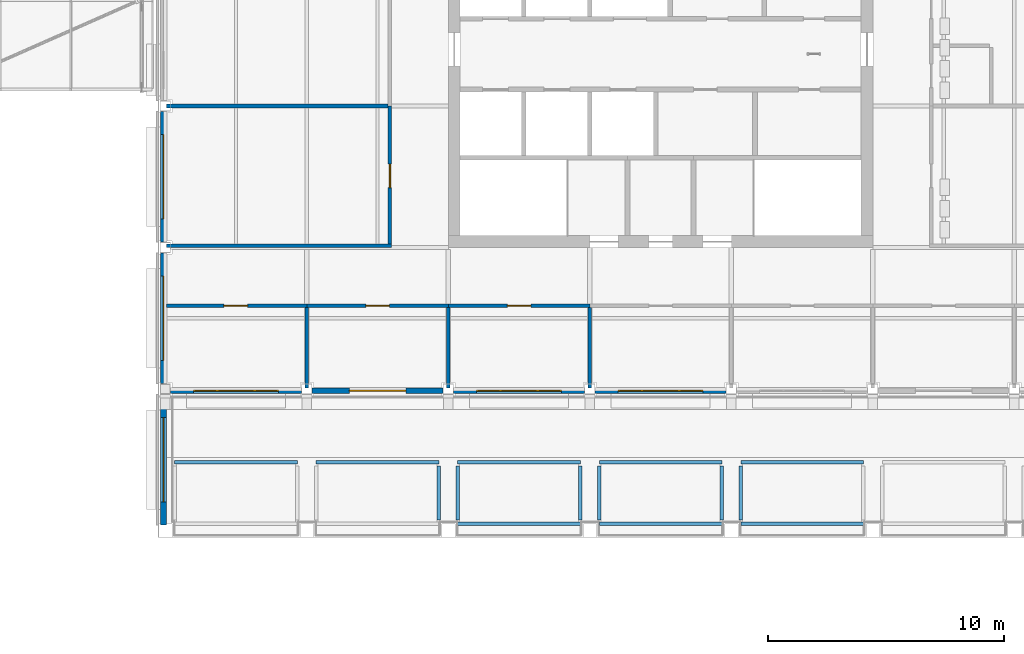
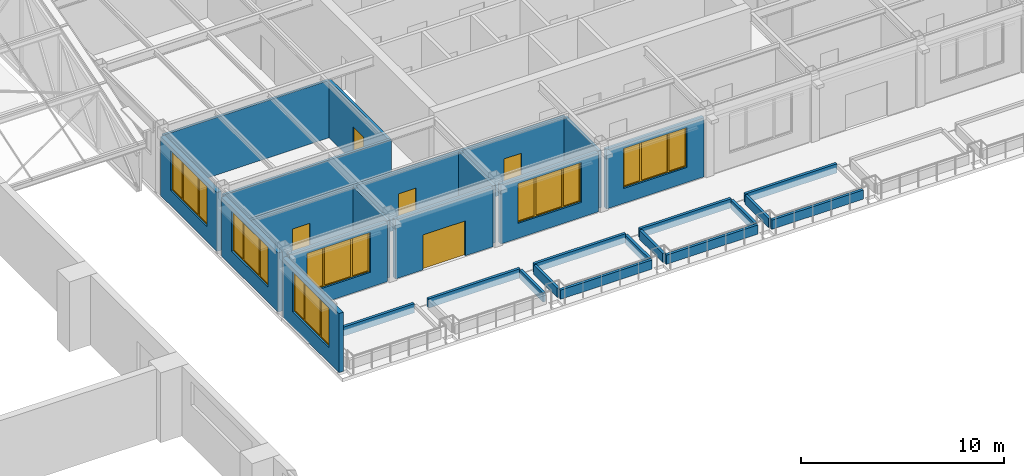
# One storey, part 58 of 82: 30 walls, 6 windows, 5 doors, 11 openings.
"""IFC4 building model written with IfcOpenShell, lengths in metres."""

from ifc_helpers import new_model, si_unit, direction, frame, frame_2d, origin, place, context, subcontext, project, spatial, polyline, rectangle, outline, extrude, material, layer, layer_set, type_object, element, fill, save


model = new_model("IFC4")

# Units and contexts
model_context = context("Model", 3, precision=1e-05, world=origin(), true_north=direction((0.0, 1.0)))
body_context = subcontext(model_context, "Body", "Model", "MODEL_VIEW")
ifc_project = project(units=[si_unit("LENGTHUNIT", "METRE"), si_unit("AREAUNIT", "SQUARE_METRE"), si_unit("VOLUMEUNIT", "CUBIC_METRE"), si_unit("PLANEANGLEUNIT", "RADIAN"), si_unit("MASSUNIT", "GRAM", prefix="KILO")], contexts=[model_context])

# Site, building, storey
site_placement = place(None, origin())
site = spatial("IfcSite", under=ifc_project, at=site_placement, CompositionType="ELEMENT")
building_placement = place(site_placement, origin())
building = spatial("IfcBuilding", under=site, at=building_placement, Name="Aravalli Gate Trade Fair Centre", CompositionType="ELEMENT")
storey_placement = place(building_placement, frame((0.0, 0.0, 19.199951171875)))
storey = spatial("IfcBuildingStorey", under=building, at=storey_placement, Name="L04", CompositionType="ELEMENT", Elevation=19.199951171875)

# Wall, opening, door
ifc_material_1 = material(Name="Blockwork with fire-rated lining", Category="masonry")
ifc_layer_1 = layer(ifc_material_1, 0.14990234375)
ifc_layer_set_1 = layer_set([ifc_layer_1], Name="Blockwork with fire-rated lining")
wall_type_1 = type_object("IfcWallType", Name="Wing partition 150 (EI 60, corridor wall)", PredefinedType="PARTITIONING", material=ifc_layer_set_1)
wall_1_placement = place(storey_placement, frame((160.050048828125, 100.52490234375, 0.0), z_axis=(0.0, 0.0, 1.0), x_axis=(1.0, 0.0, 0.0)))
wall_1 = element("IfcWall", 1, at=wall_1_placement, inside=storey, type_object=wall_type_1, Name="Partition SW1 L04", PredefinedType="PARTITIONING", context=body_context, shape_type="SweptSolid", body=[
    extrude(rectangle(XDim=5.949951171875, YDim=0.14990234375, at=frame_2d((2.97509765625, 0.0))), origin(), (0.0, 0.0, 1.0), 3.449951171875),
])
opening_1_placement = place(wall_1_placement, frame((2.4375, 0.0, 0.0)))
opening_1 = element("IfcOpeningElement", 2, at=opening_1_placement, cuts=wall_1, Name="Opening T-L04-141", PredefinedType="OPENING", context=body_context, shape_type="SweptSolid", body=[
    extrude(rectangle(XDim=1.0, YDim=2.10009765625, at=frame_2d((0.5, 1.050048828125))), frame((0.0, 0.0849609375, 0.0), z_axis=(0.0, -1.0, 0.0), x_axis=(1.0, 0.0, 0.0)), (0.0, 0.0, 1.0), 0.169921875),
])
ifc_material_2 = material(Name="Steel, fire rated", Category="steel")
door_type_1 = type_object("IfcDoorType", Name="Wing fire door FD60 1000 x 2100", OperationType="SINGLE_SWING_LEFT", PredefinedType="DOOR", material=ifc_material_2)
door_1_placement = place(opening_1_placement, frame((1.0, 0.0, 0.0), z_axis=(0.0, 0.0, 1.0), x_axis=(-1.0, 0.0, 0.0)))
door_1 = element("IfcDoor", 3, at=door_1_placement, inside=storey, type_object=door_type_1, Name="Door T-L04-141", OperationType="SINGLE_SWING_RIGHT", OverallHeight=2.10009765625, OverallWidth=1.0, PredefinedType="DOOR", context=body_context, shape_type="SweptSolid", body=[
    extrude(rectangle(XDim=1.0, YDim=2.10009765625, at=frame_2d((0.5, 1.050048828125))), frame((0.0, 0.02490234375, 0.0), z_axis=(0.0, -1.0, 0.0), x_axis=(1.0, 0.0, 0.0)), (0.0, 0.0, 1.0), 0.050048828125),
])
fill(opening_1, door_1)

# Wall
wall_2_placement = place(storey_placement, frame((166.0, 97.050048828125, 0.0), z_axis=(0.0, 0.0, 1.0), x_axis=(0.0, 1.0, 0.0)))
element("IfcWall", 4, at=wall_2_placement, inside=storey, type_object=wall_type_1, Name="Partition SP1 L04", PredefinedType="PARTITIONING", context=body_context, shape_type="SweptSolid", body=[
    extrude(rectangle(XDim=3.39990234375, YDim=0.14990234375, at=frame_2d((1.699951171875, 0.0))), origin(), (0.0, 0.0, 1.0), 3.449951171875),
])

# Wall, opening, door
wall_3_placement = place(storey_placement, frame((166.0, 100.52490234375, 0.0), z_axis=(0.0, 0.0, 1.0), x_axis=(1.0, 0.0, 0.0)))
wall_3 = element("IfcWall", 5, at=wall_3_placement, inside=storey, type_object=wall_type_1, Name="Partition SW2 L04", PredefinedType="PARTITIONING", context=body_context, shape_type="SweptSolid", body=[
    extrude(rectangle(XDim=6.0, YDim=0.14990234375, at=frame_2d((3.0, 0.0))), origin(), (0.0, 0.0, 1.0), 3.449951171875),
])
opening_2_placement = place(wall_3_placement, frame((2.5, 0.0, 0.0)))
opening_2 = element("IfcOpeningElement", 6, at=opening_2_placement, cuts=wall_3, Name="Opening T-L04-142", PredefinedType="OPENING", context=body_context, shape_type="SweptSolid", body=[
    extrude(rectangle(XDim=1.0, YDim=2.10009765625, at=frame_2d((0.5, 1.050048828125))), frame((0.0, 0.0849609375, 0.0), z_axis=(0.0, -1.0, 0.0), x_axis=(1.0, 0.0, 0.0)), (0.0, 0.0, 1.0), 0.169921875),
])
door_2_placement = place(opening_2_placement, frame((1.0, 0.0, 0.0), z_axis=(0.0, 0.0, 1.0), x_axis=(-1.0, 0.0, 0.0)))
door_2 = element("IfcDoor", 7, at=door_2_placement, inside=storey, type_object=door_type_1, Name="Door T-L04-142", OperationType="SINGLE_SWING_LEFT", OverallHeight=2.10009765625, OverallWidth=1.0, PredefinedType="DOOR", context=body_context, shape_type="SweptSolid", body=[
    extrude(rectangle(XDim=1.0, YDim=2.10009765625, at=frame_2d((0.5, 1.050048828125))), frame((0.0, 0.02490234375, 0.0), z_axis=(0.0, -1.0, 0.0), x_axis=(1.0, 0.0, 0.0)), (0.0, 0.0, 1.0), 0.050048828125),
])
fill(opening_2, door_2)

# Wall
wall_4_placement = place(storey_placement, frame((172.0, 97.050048828125, 0.0), z_axis=(0.0, 0.0, 1.0), x_axis=(0.0, 1.0, 0.0)))
element("IfcWall", 8, at=wall_4_placement, inside=storey, type_object=wall_type_1, Name="Partition SP2 L04", PredefinedType="PARTITIONING", context=body_context, shape_type="SweptSolid", body=[
    extrude(rectangle(XDim=3.39990234375, YDim=0.14990234375, at=frame_2d((1.699951171875, 0.0))), origin(), (0.0, 0.0, 1.0), 3.449951171875),
])

# Wall, opening, door
wall_5_placement = place(storey_placement, frame((172.0, 100.52490234375, 0.0), z_axis=(0.0, 0.0, 1.0), x_axis=(1.0, 0.0, 0.0)))
wall_5 = element("IfcWall", 9, at=wall_5_placement, inside=storey, type_object=wall_type_1, Name="Partition SW3 L04", PredefinedType="PARTITIONING", context=body_context, shape_type="SweptSolid", body=[
    extrude(rectangle(XDim=6.0, YDim=0.14990234375, at=frame_2d((3.0, 0.0))), origin(), (0.0, 0.0, 1.0), 3.449951171875),
])
opening_3_placement = place(wall_5_placement, frame((2.5, 0.0, 0.0)))
opening_3 = element("IfcOpeningElement", 10, at=opening_3_placement, cuts=wall_5, Name="Opening T-L04-143", PredefinedType="OPENING", context=body_context, shape_type="SweptSolid", body=[
    extrude(rectangle(XDim=1.0, YDim=2.10009765625, at=frame_2d((0.5, 1.050048828125))), frame((0.0, 0.0849609375, 0.0), z_axis=(0.0, -1.0, 0.0), x_axis=(1.0, 0.0, 0.0)), (0.0, 0.0, 1.0), 0.169921875),
])
door_3_placement = place(opening_3_placement, frame((1.0, 0.0, 0.0), z_axis=(0.0, 0.0, 1.0), x_axis=(-1.0, 0.0, 0.0)))
door_3 = element("IfcDoor", 11, at=door_3_placement, inside=storey, type_object=door_type_1, Name="Door T-L04-143", OperationType="SINGLE_SWING_RIGHT", OverallHeight=2.10009765625, OverallWidth=1.0, PredefinedType="DOOR", context=body_context, shape_type="SweptSolid", body=[
    extrude(rectangle(XDim=1.0, YDim=2.10009765625, at=frame_2d((0.5, 1.050048828125))), frame((0.0, 0.02490234375, 0.0), z_axis=(0.0, -1.0, 0.0), x_axis=(1.0, 0.0, 0.0)), (0.0, 0.0, 1.0), 0.050048828125),
])
fill(opening_3, door_3)

# Wall
wall_6_placement = place(storey_placement, frame((178.0, 97.050048828125, 0.0), z_axis=(0.0, 0.0, 1.0), x_axis=(0.0, 1.0, 0.0)))
element("IfcWall", 12, at=wall_6_placement, inside=storey, type_object=wall_type_1, Name="Partition SP3 L04", PredefinedType="PARTITIONING", context=body_context, shape_type="SweptSolid", body=[
    extrude(rectangle(XDim=3.39990234375, YDim=0.14990234375, at=frame_2d((1.699951171875, 0.0))), origin(), (0.0, 0.0, 1.0), 3.449951171875),
])

# Wall, opening, door
wall_7_placement = place(storey_placement, frame((169.52490234375, 103.14990234375, 0.0), z_axis=(0.0, 0.0, 1.0), x_axis=(0.0, 1.0, 0.0)))
wall_7 = element("IfcWall", 13, at=wall_7_placement, inside=storey, type_object=wall_type_1, Name="Partition WW1 L04", PredefinedType="PARTITIONING", context=body_context, shape_type="SweptSolid", body=[
    extrude(rectangle(XDim=5.85009765625, YDim=0.14990234375, at=frame_2d((2.925048828125, 0.0))), origin(), (0.0, 0.0, 1.0), 3.449951171875),
])
opening_4_placement = place(wall_7_placement, frame((2.387451171875, 0.0, 0.0)))
opening_4 = element("IfcOpeningElement", 14, at=opening_4_placement, cuts=wall_7, Name="Opening T-L04-155", PredefinedType="OPENING", context=body_context, shape_type="SweptSolid", body=[
    extrude(rectangle(XDim=1.0, YDim=2.10009765625, at=frame_2d((0.5, 1.050048828125))), frame((0.0, 0.0849609375, 0.0), z_axis=(0.0, -1.0, 0.0), x_axis=(1.0, 0.0, 0.0)), (0.0, 0.0, 1.0), 0.169921875),
])
door_4_placement = place(opening_4_placement, origin())
door_4 = element("IfcDoor", 15, at=door_4_placement, inside=storey, type_object=door_type_1, Name="Door T-L04-155", OperationType="SINGLE_SWING_LEFT", OverallHeight=2.10009765625, OverallWidth=1.0, PredefinedType="DOOR", context=body_context, shape_type="SweptSolid", body=[
    extrude(rectangle(XDim=1.0, YDim=2.10009765625, at=frame_2d((0.5, 1.050048828125))), frame((0.0, 0.02490234375, 0.0), z_axis=(0.0, -1.0, 0.0), x_axis=(1.0, 0.0, 0.0)), (0.0, 0.0, 1.0), 0.050048828125),
])
fill(opening_4, door_4)

# Walls
wall_8_placement = place(storey_placement, frame((160.050048828125, 109.0, 0.0), z_axis=(0.0, 0.0, 1.0), x_axis=(1.0, 0.0, 0.0)))
element("IfcWall", 16, at=wall_8_placement, inside=storey, type_object=wall_type_1, Name="Partition WP1 L04", PredefinedType="PARTITIONING", context=body_context, shape_type="SweptSolid", body=[
    extrude(rectangle(XDim=9.39990234375, YDim=0.14990234375, at=frame_2d((4.699951171875, 0.0))), origin(), (0.0, 0.0, 1.0), 3.449951171875),
])
wall_9_placement = place(storey_placement, frame((160.050048828125, 103.074951171875, 0.0), z_axis=(0.0, 0.0, 1.0), x_axis=(1.0, 0.0, 0.0)))
element("IfcWall", 17, at=wall_9_placement, inside=storey, type_object=wall_type_1, Name="Partition CL-SW L04", PredefinedType="PARTITIONING", context=body_context, shape_type="SweptSolid", body=[
    extrude(rectangle(XDim=9.550048828125, YDim=0.14990234375, at=frame_2d((4.77490234375, 0.0))), origin(), (0.0, 0.0, 1.0), 3.449951171875),
])
ifc_material_3 = material(Name="Concrete M30", Category="concrete")
ifc_layer_2 = layer(ifc_material_3, 0.14990234375)
ifc_layer_set_2 = layer_set([ifc_layer_2], Name="Concrete M30")
wall_type_2 = type_object("IfcWallType", Name="Wing planter wall 150", PredefinedType="SOLIDWALL", material=ifc_layer_set_2)
for number, where, z_axis, x_axis, name in (
    (18, (160.39990234375, 93.89501953125, 0.0), (0.0, 0.0, 1.0), (1.0, 0.0, 0.0), "Planter wall L04 1N"),
    (19, (166.39990234375, 93.89501953125, 0.0), (0.0, 0.0, 1.0), (1.0, 0.0, 0.0), "Planter wall L04 2N"),
):
    element("IfcWall", number, at=place(storey_placement, frame(where, z_axis=z_axis, x_axis=x_axis)), inside=storey, type_object=wall_type_2, Name=name, PredefinedType="SOLIDWALL", context=body_context, shape_type="SweptSolid", body=[
        extrude(rectangle(XDim=5.2001953125, YDim=0.14990234375, at=frame_2d((2.60009765625, 0.0))), origin(), (0.0, 0.0, 1.0), 0.550048828125),
    ])
wall_10_placement = place(storey_placement, frame((171.60009765625, 91.445068359375, 0.0), z_axis=(0.0, 0.0, 1.0), x_axis=(0.0, 1.0, 0.0)))
element("IfcWall", 20, at=wall_10_placement, inside=storey, type_object=wall_type_2, Name="Planter wall L04 2E", PredefinedType="SOLIDWALL", context=body_context, shape_type="SweptSolid", body=[
    extrude(rectangle(XDim=2.300048828125, YDim=0.14990234375, at=frame_2d((1.14990234375, 0.0))), origin(), (0.0, 0.0, 1.0), 0.550048828125),
])
for number, where, z_axis, x_axis, name in (
    (21, (172.39990234375, 91.294921875, 0.0), (0.0, 0.0, 1.0), (1.0, 0.0, 0.0), "Planter wall L04 3S"),
    (22, (172.39990234375, 93.89501953125, 0.0), (0.0, 0.0, 1.0), (1.0, 0.0, 0.0), "Planter wall L04 3N"),
):
    element("IfcWall", number, at=place(storey_placement, frame(where, z_axis=z_axis, x_axis=x_axis)), inside=storey, type_object=wall_type_2, Name=name, PredefinedType="SOLIDWALL", context=body_context, shape_type="SweptSolid", body=[
        extrude(rectangle(XDim=5.2001953125, YDim=0.14990234375, at=frame_2d((2.60009765625, 0.0))), origin(), (0.0, 0.0, 1.0), 0.550048828125),
    ])
for number, where, z_axis, x_axis, name in (
    (23, (172.39990234375, 91.445068359375, 0.0), (0.0, 0.0, 1.0), (0.0, 1.0, 0.0), "Planter wall L04 3W"),
    (24, (177.60009765625, 91.445068359375, 0.0), (0.0, 0.0, 1.0), (0.0, 1.0, 0.0), "Planter wall L04 3E"),
):
    element("IfcWall", number, at=place(storey_placement, frame(where, z_axis=z_axis, x_axis=x_axis)), inside=storey, type_object=wall_type_2, Name=name, PredefinedType="SOLIDWALL", context=body_context, shape_type="SweptSolid", body=[
        extrude(rectangle(XDim=2.300048828125, YDim=0.14990234375, at=frame_2d((1.14990234375, 0.0))), origin(), (0.0, 0.0, 1.0), 0.550048828125),
    ])
for number, where, z_axis, x_axis, name in (
    (25, (178.39990234375, 91.294921875, 0.0), (0.0, 0.0, 1.0), (1.0, 0.0, 0.0), "Planter wall L04 4S"),
    (26, (178.39990234375, 93.89501953125, 0.0), (0.0, 0.0, 1.0), (1.0, 0.0, 0.0), "Planter wall L04 4N"),
):
    element("IfcWall", number, at=place(storey_placement, frame(where, z_axis=z_axis, x_axis=x_axis)), inside=storey, type_object=wall_type_2, Name=name, PredefinedType="SOLIDWALL", context=body_context, shape_type="SweptSolid", body=[
        extrude(rectangle(XDim=5.2001953125, YDim=0.14990234375, at=frame_2d((2.60009765625, 0.0))), origin(), (0.0, 0.0, 1.0), 0.550048828125),
    ])
for number, where, z_axis, x_axis, name in (
    (27, (178.39990234375, 91.445068359375, 0.0), (0.0, 0.0, 1.0), (0.0, 1.0, 0.0), "Planter wall L04 4W"),
    (28, (183.60009765625, 91.445068359375, 0.0), (0.0, 0.0, 1.0), (0.0, 1.0, 0.0), "Planter wall L04 4E"),
):
    element("IfcWall", number, at=place(storey_placement, frame(where, z_axis=z_axis, x_axis=x_axis)), inside=storey, type_object=wall_type_2, Name=name, PredefinedType="SOLIDWALL", context=body_context, shape_type="SweptSolid", body=[
        extrude(rectangle(XDim=2.300048828125, YDim=0.14990234375, at=frame_2d((1.14990234375, 0.0))), origin(), (0.0, 0.0, 1.0), 0.550048828125),
    ])
for number, where, z_axis, x_axis, name in (
    (29, (184.39990234375, 91.294921875, 0.0), (0.0, 0.0, 1.0), (1.0, 0.0, 0.0), "Planter wall L04 5S"),
    (30, (184.39990234375, 93.89501953125, 0.0), (0.0, 0.0, 1.0), (1.0, 0.0, 0.0), "Planter wall L04 5N"),
):
    element("IfcWall", number, at=place(storey_placement, frame(where, z_axis=z_axis, x_axis=x_axis)), inside=storey, type_object=wall_type_2, Name=name, PredefinedType="SOLIDWALL", context=body_context, shape_type="SweptSolid", body=[
        extrude(rectangle(XDim=5.2001953125, YDim=0.14990234375, at=frame_2d((2.60009765625, 0.0))), origin(), (0.0, 0.0, 1.0), 0.550048828125),
    ])
wall_11_placement = place(storey_placement, frame((184.39990234375, 91.445068359375, 0.0), z_axis=(0.0, 0.0, 1.0), x_axis=(0.0, 1.0, 0.0)))
element("IfcWall", 31, at=wall_11_placement, inside=storey, type_object=wall_type_2, Name="Planter wall L04 5W", PredefinedType="SOLIDWALL", context=body_context, shape_type="SweptSolid", body=[
    extrude(rectangle(XDim=2.300048828125, YDim=0.14990234375, at=frame_2d((1.14990234375, 0.0))), origin(), (0.0, 0.0, 1.0), 0.550048828125),
])

# Wall, opening, window
ifc_material_4 = material(Name="Concrete block masonry", Category="masonry")
ifc_layer_3 = layer(ifc_material_4, 0.2099609375, Name="Block masonry")
ifc_material_5 = material(Name="Terracotta cladding", Category="masonry")
ifc_layer_4 = layer(ifc_material_5, 0.0400390625, Name="Terracotta cladding")
ifc_layer_set_3 = layer_set([ifc_layer_3, ifc_layer_4], Name="Wing terracotta clad infill wall 250")
wall_type_3 = type_object("IfcWallType", Name="Wing terracotta clad infill wall 250", PredefinedType="SOLIDWALL", material=ifc_layer_set_3)
wall_12_placement = place(storey_placement, frame((160.22509765625, 96.925048828125, 0.0), z_axis=(0.0, 0.0, 1.0), x_axis=(1.0, 0.0, 0.0)))
wall_12 = element("IfcWall", 32, at=wall_12_placement, inside=storey, type_object=wall_type_3, Name="Facade wall S0 L04", PredefinedType="SOLIDWALL", context=body_context, shape_type="SweptSolid", body=[
    extrude(rectangle(XDim=5.5498046875, YDim=0.25, at=frame_2d((2.77490234375, 0.0))), origin(), (0.0, 0.0, 1.0), 3.550048828125),
])
opening_5_placement = place(wall_12_placement, frame((0.97509765625, 0.0, 0.89990234375)))
opening_5 = element("IfcOpeningElement", 33, at=opening_5_placement, cuts=wall_12, Name="Opening TWN1", PredefinedType="OPENING", context=body_context, shape_type="SweptSolid", body=[
    extrude(rectangle(XDim=3.60009765625, YDim=2.39990234375, at=frame_2d((1.800048828125, 1.199951171875))), frame((0.0, 0.135009765625, 0.0), z_axis=(0.0, -1.0, 0.0), x_axis=(1.0, 0.0, 0.0)), (0.0, 0.0, 1.0), 0.27001953125),
])
ifc_material_6 = material(Name="Aluminium and glass", Category="aluminium")
window_type = type_object("IfcWindowType", Name="Wing chicago window 3600 x 2400", PartitioningType="TRIPLE_PANEL_VERTICAL", PredefinedType="WINDOW", material=ifc_material_6)
window_1_placement = place(opening_5_placement, origin())
window_1 = element("IfcWindow", 34, at=window_1_placement, inside=storey, type_object=window_type, Name="Window S0 L04", OverallHeight=2.39990234375, OverallWidth=3.60009765625, PartitioningType="TRIPLE_PANEL_VERTICAL", PredefinedType="WINDOW", context=body_context, shape_type="SweptSolid", body=[
    extrude(outline(polyline([(0.0, 0.0), (3.60009765625, 0.0), (3.60009765625, 2.39990234375), (0.0, 2.39990234375), (0.0, 0.0)]), holes=[polyline([(0.06005859375, 0.06005859375), (0.9599609375, 0.06005859375), (0.9599609375, 2.33984375), (0.06005859375, 2.33984375), (0.06005859375, 0.06005859375)]), polyline([(1.06005859375, 0.06005859375), (2.539794921875, 0.06005859375), (2.539794921875, 2.33984375), (1.06005859375, 2.33984375), (1.06005859375, 0.06005859375)]), polyline([(2.639892578125, 0.06005859375), (3.539794921875, 0.06005859375), (3.539794921875, 2.33984375), (2.639892578125, 2.33984375), (2.639892578125, 0.06005859375)])]), frame((0.0, 0.030029296875, 0.0), z_axis=(0.0, -1.0, 0.0), x_axis=(1.0, 0.0, 0.0)), (0.0, 0.0, 1.0), 0.06005859375),
    extrude(rectangle(XDim=0.923828125, YDim=2.3037109375, at=frame_2d((0.510009765625, 1.199951171875))), frame((0.0, 0.010009765625, 0.0), z_axis=(0.0, -1.0, 0.0), x_axis=(1.0, 0.0, 0.0)), (0.0, 0.0, 1.0), 0.02001953125),
    extrude(rectangle(XDim=1.503662109375, YDim=2.3037109375, at=frame_2d((1.7998046875, 1.199951171875))), frame((0.0, 0.010009765625, 0.0), z_axis=(0.0, -1.0, 0.0), x_axis=(1.0, 0.0, 0.0)), (0.0, 0.0, 1.0), 0.02001953125),
    extrude(rectangle(XDim=0.923828125, YDim=2.3037109375, at=frame_2d((3.08984375, 1.199951171875))), frame((0.0, 0.010009765625, 0.0), z_axis=(0.0, -1.0, 0.0), x_axis=(1.0, 0.0, 0.0)), (0.0, 0.0, 1.0), 0.02001953125),
])
fill(opening_5, window_1)

wall_13_placement = place(storey_placement, frame((172.22509765625, 96.925048828125, 0.0), z_axis=(0.0, 0.0, 1.0), x_axis=(1.0, 0.0, 0.0)))
wall_13 = element("IfcWall", 35, at=wall_13_placement, inside=storey, type_object=wall_type_3, Name="Facade wall S2 L04", PredefinedType="SOLIDWALL", context=body_context, shape_type="SweptSolid", body=[
    extrude(rectangle(XDim=5.5498046875, YDim=0.25, at=frame_2d((2.77490234375, 0.0))), origin(), (0.0, 0.0, 1.0), 3.550048828125),
])
opening_6_placement = place(wall_13_placement, frame((0.97509765625, 0.0, 0.89990234375)))
opening_6 = element("IfcOpeningElement", 36, at=opening_6_placement, cuts=wall_13, Name="Opening TWN1", PredefinedType="OPENING", context=body_context, shape_type="SweptSolid", body=[
    extrude(rectangle(XDim=3.60009765625, YDim=2.39990234375, at=frame_2d((1.800048828125, 1.199951171875))), frame((0.0, 0.135009765625, 0.0), z_axis=(0.0, -1.0, 0.0), x_axis=(1.0, 0.0, 0.0)), (0.0, 0.0, 1.0), 0.27001953125),
])
window_2_placement = place(opening_6_placement, origin())
window_2 = element("IfcWindow", 37, at=window_2_placement, inside=storey, type_object=window_type, Name="Window S2 L04", OverallHeight=2.39990234375, OverallWidth=3.60009765625, PartitioningType="TRIPLE_PANEL_VERTICAL", PredefinedType="WINDOW", context=body_context, shape_type="SweptSolid", body=[
    extrude(outline(polyline([(0.0, 0.0), (3.60009765625, 0.0), (3.60009765625, 2.39990234375), (0.0, 2.39990234375), (0.0, 0.0)]), holes=[polyline([(0.06005859375, 0.06005859375), (0.9599609375, 0.06005859375), (0.9599609375, 2.33984375), (0.06005859375, 2.33984375), (0.06005859375, 0.06005859375)]), polyline([(1.06005859375, 0.06005859375), (2.539794921875, 0.06005859375), (2.539794921875, 2.33984375), (1.06005859375, 2.33984375), (1.06005859375, 0.06005859375)]), polyline([(2.639892578125, 0.06005859375), (3.539794921875, 0.06005859375), (3.539794921875, 2.33984375), (2.639892578125, 2.33984375), (2.639892578125, 0.06005859375)])]), frame((0.0, 0.030029296875, 0.0), z_axis=(0.0, -1.0, 0.0), x_axis=(1.0, 0.0, 0.0)), (0.0, 0.0, 1.0), 0.06005859375),
    extrude(rectangle(XDim=0.923828125, YDim=2.3037109375, at=frame_2d((0.510009765625, 1.199951171875))), frame((0.0, 0.010009765625, 0.0), z_axis=(0.0, -1.0, 0.0), x_axis=(1.0, 0.0, 0.0)), (0.0, 0.0, 1.0), 0.02001953125),
    extrude(rectangle(XDim=1.503662109375, YDim=2.3037109375, at=frame_2d((1.7998046875, 1.199951171875))), frame((0.0, 0.010009765625, 0.0), z_axis=(0.0, -1.0, 0.0), x_axis=(1.0, 0.0, 0.0)), (0.0, 0.0, 1.0), 0.02001953125),
    extrude(rectangle(XDim=0.923828125, YDim=2.3037109375, at=frame_2d((3.08984375, 1.199951171875))), frame((0.0, 0.010009765625, 0.0), z_axis=(0.0, -1.0, 0.0), x_axis=(1.0, 0.0, 0.0)), (0.0, 0.0, 1.0), 0.02001953125),
])
fill(opening_6, window_2)

wall_14_placement = place(storey_placement, frame((178.22509765625, 96.925048828125, 0.0), z_axis=(0.0, 0.0, 1.0), x_axis=(1.0, 0.0, 0.0)))
wall_14 = element("IfcWall", 38, at=wall_14_placement, inside=storey, type_object=wall_type_3, Name="Facade wall S3 L04", PredefinedType="SOLIDWALL", context=body_context, shape_type="SweptSolid", body=[
    extrude(rectangle(XDim=5.5498046875, YDim=0.25, at=frame_2d((2.77490234375, 0.0))), origin(), (0.0, 0.0, 1.0), 3.550048828125),
])
opening_7_placement = place(wall_14_placement, frame((0.97509765625, 0.0, 0.89990234375)))
opening_7 = element("IfcOpeningElement", 39, at=opening_7_placement, cuts=wall_14, Name="Opening TWN1", PredefinedType="OPENING", context=body_context, shape_type="SweptSolid", body=[
    extrude(rectangle(XDim=3.60009765625, YDim=2.39990234375, at=frame_2d((1.800048828125, 1.199951171875))), frame((0.0, 0.135009765625, 0.0), z_axis=(0.0, -1.0, 0.0), x_axis=(1.0, 0.0, 0.0)), (0.0, 0.0, 1.0), 0.27001953125),
])
window_3_placement = place(opening_7_placement, origin())
window_3 = element("IfcWindow", 40, at=window_3_placement, inside=storey, type_object=window_type, Name="Window S3 L04", OverallHeight=2.39990234375, OverallWidth=3.60009765625, PartitioningType="TRIPLE_PANEL_VERTICAL", PredefinedType="WINDOW", context=body_context, shape_type="SweptSolid", body=[
    extrude(outline(polyline([(0.0, 0.0), (3.60009765625, 0.0), (3.60009765625, 2.39990234375), (0.0, 2.39990234375), (0.0, 0.0)]), holes=[polyline([(0.06005859375, 0.06005859375), (0.9599609375, 0.06005859375), (0.9599609375, 2.33984375), (0.06005859375, 2.33984375), (0.06005859375, 0.06005859375)]), polyline([(1.06005859375, 0.06005859375), (2.539794921875, 0.06005859375), (2.539794921875, 2.33984375), (1.06005859375, 2.33984375), (1.06005859375, 0.06005859375)]), polyline([(2.639892578125, 0.06005859375), (3.539794921875, 0.06005859375), (3.539794921875, 2.33984375), (2.639892578125, 2.33984375), (2.639892578125, 0.06005859375)])]), frame((0.0, 0.030029296875, 0.0), z_axis=(0.0, -1.0, 0.0), x_axis=(1.0, 0.0, 0.0)), (0.0, 0.0, 1.0), 0.06005859375),
    extrude(rectangle(XDim=0.923828125, YDim=2.3037109375, at=frame_2d((0.510009765625, 1.199951171875))), frame((0.0, 0.010009765625, 0.0), z_axis=(0.0, -1.0, 0.0), x_axis=(1.0, 0.0, 0.0)), (0.0, 0.0, 1.0), 0.02001953125),
    extrude(rectangle(XDim=1.503662109375, YDim=2.3037109375, at=frame_2d((1.7998046875, 1.199951171875))), frame((0.0, 0.010009765625, 0.0), z_axis=(0.0, -1.0, 0.0), x_axis=(1.0, 0.0, 0.0)), (0.0, 0.0, 1.0), 0.02001953125),
    extrude(rectangle(XDim=0.923828125, YDim=2.3037109375, at=frame_2d((3.08984375, 1.199951171875))), frame((0.0, 0.010009765625, 0.0), z_axis=(0.0, -1.0, 0.0), x_axis=(1.0, 0.0, 0.0)), (0.0, 0.0, 1.0), 0.02001953125),
])
fill(opening_7, window_3)

wall_15_placement = place(storey_placement, frame((159.925048828125, 91.22509765625, 0.0), z_axis=(0.0, 0.0, 1.0), x_axis=(0.0, 1.0, 0.0)))
wall_15 = element("IfcWall", 41, at=wall_15_placement, inside=storey, type_object=wall_type_3, Name="Facade wall W0 L04", PredefinedType="SOLIDWALL", context=body_context, shape_type="SweptSolid", body=[
    extrude(rectangle(XDim=5.5498046875, YDim=0.25, at=frame_2d((2.77490234375, 0.0))), origin(), (0.0, 0.0, 1.0), 3.550048828125),
])
opening_8_placement = place(wall_15_placement, frame((0.97509765625, 0.0, 0.89990234375)))
opening_8 = element("IfcOpeningElement", 42, at=opening_8_placement, cuts=wall_15, Name="Opening TWN1", PredefinedType="OPENING", context=body_context, shape_type="SweptSolid", body=[
    extrude(rectangle(XDim=3.60009765625, YDim=2.39990234375, at=frame_2d((1.800048828125, 1.199951171875))), frame((0.0, 0.135009765625, 0.0), z_axis=(0.0, -1.0, 0.0), x_axis=(1.0, 0.0, 0.0)), (0.0, 0.0, 1.0), 0.27001953125),
])
window_4_placement = place(opening_8_placement, origin())
window_4 = element("IfcWindow", 43, at=window_4_placement, inside=storey, type_object=window_type, Name="Window W0 L04", OverallHeight=2.39990234375, OverallWidth=3.60009765625, PartitioningType="TRIPLE_PANEL_VERTICAL", PredefinedType="WINDOW", context=body_context, shape_type="SweptSolid", body=[
    extrude(outline(polyline([(0.0, 0.0), (3.60009765625, 0.0), (3.60009765625, 2.39990234375), (0.0, 2.39990234375), (0.0, 0.0)]), holes=[polyline([(0.06005859375, 0.06005859375), (0.9599609375, 0.06005859375), (0.9599609375, 2.33984375), (0.06005859375, 2.33984375), (0.06005859375, 0.06005859375)]), polyline([(1.06005859375, 0.06005859375), (2.539794921875, 0.06005859375), (2.539794921875, 2.33984375), (1.06005859375, 2.33984375), (1.06005859375, 0.06005859375)]), polyline([(2.639892578125, 0.06005859375), (3.539794921875, 0.06005859375), (3.539794921875, 2.33984375), (2.639892578125, 2.33984375), (2.639892578125, 0.06005859375)])]), frame((0.0, 0.030029296875, 0.0), z_axis=(0.0, -1.0, 0.0), x_axis=(1.0, 0.0, 0.0)), (0.0, 0.0, 1.0), 0.06005859375),
    extrude(rectangle(XDim=0.923828125, YDim=2.3037109375, at=frame_2d((0.510009765625, 1.199951171875))), frame((0.0, 0.010009765625, 0.0), z_axis=(0.0, -1.0, 0.0), x_axis=(1.0, 0.0, 0.0)), (0.0, 0.0, 1.0), 0.02001953125),
    extrude(rectangle(XDim=1.503662109375, YDim=2.3037109375, at=frame_2d((1.7998046875, 1.199951171875))), frame((0.0, 0.010009765625, 0.0), z_axis=(0.0, -1.0, 0.0), x_axis=(1.0, 0.0, 0.0)), (0.0, 0.0, 1.0), 0.02001953125),
    extrude(rectangle(XDim=0.923828125, YDim=2.3037109375, at=frame_2d((3.08984375, 1.199951171875))), frame((0.0, 0.010009765625, 0.0), z_axis=(0.0, -1.0, 0.0), x_axis=(1.0, 0.0, 0.0)), (0.0, 0.0, 1.0), 0.02001953125),
])
fill(opening_8, window_4)

wall_16_placement = place(storey_placement, frame((159.925048828125, 97.22509765625, 0.0), z_axis=(0.0, 0.0, 1.0), x_axis=(0.0, 1.0, 0.0)))
wall_16 = element("IfcWall", 44, at=wall_16_placement, inside=storey, type_object=wall_type_3, Name="Facade wall W1 L04", PredefinedType="SOLIDWALL", context=body_context, shape_type="SweptSolid", body=[
    extrude(rectangle(XDim=5.5498046875, YDim=0.25, at=frame_2d((2.77490234375, 0.0))), origin(), (0.0, 0.0, 1.0), 3.550048828125),
])
opening_9_placement = place(wall_16_placement, frame((0.97509765625, 0.0, 0.89990234375)))
opening_9 = element("IfcOpeningElement", 45, at=opening_9_placement, cuts=wall_16, Name="Opening TWN1", PredefinedType="OPENING", context=body_context, shape_type="SweptSolid", body=[
    extrude(rectangle(XDim=3.60009765625, YDim=2.39990234375, at=frame_2d((1.800048828125, 1.199951171875))), frame((0.0, 0.135009765625, 0.0), z_axis=(0.0, -1.0, 0.0), x_axis=(1.0, 0.0, 0.0)), (0.0, 0.0, 1.0), 0.27001953125),
])
window_5_placement = place(opening_9_placement, origin())
window_5 = element("IfcWindow", 46, at=window_5_placement, inside=storey, type_object=window_type, Name="Window W1 L04", OverallHeight=2.39990234375, OverallWidth=3.60009765625, PartitioningType="TRIPLE_PANEL_VERTICAL", PredefinedType="WINDOW", context=body_context, shape_type="SweptSolid", body=[
    extrude(outline(polyline([(0.0, 0.0), (3.60009765625, 0.0), (3.60009765625, 2.39990234375), (0.0, 2.39990234375), (0.0, 0.0)]), holes=[polyline([(0.06005859375, 0.06005859375), (0.9599609375, 0.06005859375), (0.9599609375, 2.33984375), (0.06005859375, 2.33984375), (0.06005859375, 0.06005859375)]), polyline([(1.06005859375, 0.06005859375), (2.539794921875, 0.06005859375), (2.539794921875, 2.33984375), (1.06005859375, 2.33984375), (1.06005859375, 0.06005859375)]), polyline([(2.639892578125, 0.06005859375), (3.539794921875, 0.06005859375), (3.539794921875, 2.33984375), (2.639892578125, 2.33984375), (2.639892578125, 0.06005859375)])]), frame((0.0, 0.030029296875, 0.0), z_axis=(0.0, -1.0, 0.0), x_axis=(1.0, 0.0, 0.0)), (0.0, 0.0, 1.0), 0.06005859375),
    extrude(rectangle(XDim=0.923828125, YDim=2.3037109375, at=frame_2d((0.510009765625, 1.199951171875))), frame((0.0, 0.010009765625, 0.0), z_axis=(0.0, -1.0, 0.0), x_axis=(1.0, 0.0, 0.0)), (0.0, 0.0, 1.0), 0.02001953125),
    extrude(rectangle(XDim=1.503662109375, YDim=2.3037109375, at=frame_2d((1.7998046875, 1.199951171875))), frame((0.0, 0.010009765625, 0.0), z_axis=(0.0, -1.0, 0.0), x_axis=(1.0, 0.0, 0.0)), (0.0, 0.0, 1.0), 0.02001953125),
    extrude(rectangle(XDim=0.923828125, YDim=2.3037109375, at=frame_2d((3.08984375, 1.199951171875))), frame((0.0, 0.010009765625, 0.0), z_axis=(0.0, -1.0, 0.0), x_axis=(1.0, 0.0, 0.0)), (0.0, 0.0, 1.0), 0.02001953125),
])
fill(opening_9, window_5)

wall_17_placement = place(storey_placement, frame((159.925048828125, 103.22509765625, 0.0), z_axis=(0.0, 0.0, 1.0), x_axis=(0.0, 1.0, 0.0)))
wall_17 = element("IfcWall", 47, at=wall_17_placement, inside=storey, type_object=wall_type_3, Name="Facade wall W2 L04", PredefinedType="SOLIDWALL", context=body_context, shape_type="SweptSolid", body=[
    extrude(rectangle(XDim=5.5498046875, YDim=0.25, at=frame_2d((2.77490234375, 0.0))), origin(), (0.0, 0.0, 1.0), 3.550048828125),
])
opening_10_placement = place(wall_17_placement, frame((0.97509765625, 0.0, 0.89990234375)))
opening_10 = element("IfcOpeningElement", 48, at=opening_10_placement, cuts=wall_17, Name="Opening TWN1", PredefinedType="OPENING", context=body_context, shape_type="SweptSolid", body=[
    extrude(rectangle(XDim=3.60009765625, YDim=2.39990234375, at=frame_2d((1.800048828125, 1.199951171875))), frame((0.0, 0.135009765625, 0.0), z_axis=(0.0, -1.0, 0.0), x_axis=(1.0, 0.0, 0.0)), (0.0, 0.0, 1.0), 0.27001953125),
])
window_6_placement = place(opening_10_placement, origin())
window_6 = element("IfcWindow", 49, at=window_6_placement, inside=storey, type_object=window_type, Name="Window W2 L04", OverallHeight=2.39990234375, OverallWidth=3.60009765625, PartitioningType="TRIPLE_PANEL_VERTICAL", PredefinedType="WINDOW", context=body_context, shape_type="SweptSolid", body=[
    extrude(outline(polyline([(0.0, 0.0), (3.60009765625, 0.0), (3.60009765625, 2.39990234375), (0.0, 2.39990234375), (0.0, 0.0)]), holes=[polyline([(0.06005859375, 0.06005859375), (0.9599609375, 0.06005859375), (0.9599609375, 2.33984375), (0.06005859375, 2.33984375), (0.06005859375, 0.06005859375)]), polyline([(1.06005859375, 0.06005859375), (2.539794921875, 0.06005859375), (2.539794921875, 2.33984375), (1.06005859375, 2.33984375), (1.06005859375, 0.06005859375)]), polyline([(2.639892578125, 0.06005859375), (3.539794921875, 0.06005859375), (3.539794921875, 2.33984375), (2.639892578125, 2.33984375), (2.639892578125, 0.06005859375)])]), frame((0.0, 0.030029296875, 0.0), z_axis=(0.0, -1.0, 0.0), x_axis=(1.0, 0.0, 0.0)), (0.0, 0.0, 1.0), 0.06005859375),
    extrude(rectangle(XDim=0.923828125, YDim=2.3037109375, at=frame_2d((0.510009765625, 1.199951171875))), frame((0.0, 0.010009765625, 0.0), z_axis=(0.0, -1.0, 0.0), x_axis=(1.0, 0.0, 0.0)), (0.0, 0.0, 1.0), 0.02001953125),
    extrude(rectangle(XDim=1.503662109375, YDim=2.3037109375, at=frame_2d((1.7998046875, 1.199951171875))), frame((0.0, 0.010009765625, 0.0), z_axis=(0.0, -1.0, 0.0), x_axis=(1.0, 0.0, 0.0)), (0.0, 0.0, 1.0), 0.02001953125),
    extrude(rectangle(XDim=0.923828125, YDim=2.3037109375, at=frame_2d((3.08984375, 1.199951171875))), frame((0.0, 0.010009765625, 0.0), z_axis=(0.0, -1.0, 0.0), x_axis=(1.0, 0.0, 0.0)), (0.0, 0.0, 1.0), 0.02001953125),
])
fill(opening_10, window_6)

# Wall, opening, door
wall_18_placement = place(storey_placement, frame((166.22509765625, 96.925048828125, 0.0), z_axis=(0.0, 0.0, 1.0), x_axis=(1.0, 0.0, 0.0)))
wall_18 = element("IfcWall", 50, at=wall_18_placement, inside=storey, type_object=wall_type_3, Name="Facade wall S1 L04", PredefinedType="SOLIDWALL", context=body_context, shape_type="SweptSolid", body=[
    extrude(rectangle(XDim=5.5498046875, YDim=0.25, at=frame_2d((2.77490234375, 0.0))), origin(), (0.0, 0.0, 1.0), 3.550048828125),
])
opening_11_placement = place(wall_18_placement, frame((1.574951171875, 0.0, 0.0)))
opening_11 = element("IfcOpeningElement", 51, at=opening_11_placement, cuts=wall_18, Name="Opening T-L04-186", PredefinedType="OPENING", context=body_context, shape_type="SweptSolid", body=[
    extrude(rectangle(XDim=2.39990234375, YDim=2.10009765625, at=frame_2d((1.199951171875, 1.050048828125))), frame((0.0, 0.135009765625, 0.0), z_axis=(0.0, -1.0, 0.0), x_axis=(1.0, 0.0, 0.0)), (0.0, 0.0, 1.0), 0.27001953125),
])
door_type_2 = type_object("IfcDoorType", Name="Wing glazed entrance door 2400 x 2100", OperationType="DOUBLE_DOOR_SINGLE_SWING", PredefinedType="DOOR", material=ifc_material_6)
door_5_placement = place(opening_11_placement, frame((2.39990234375, 0.0, 0.0), z_axis=(0.0, 0.0, 1.0), x_axis=(-1.0, 0.0, 0.0)))
door_5 = element("IfcDoor", 52, at=door_5_placement, inside=storey, type_object=door_type_2, Name="Terrace door T-L04-186", OperationType="DOUBLE_DOOR_SINGLE_SWING", OverallHeight=2.10009765625, OverallWidth=2.39990234375, PredefinedType="DOOR", context=body_context, shape_type="SweptSolid", body=[
    extrude(rectangle(XDim=2.39990234375, YDim=2.10009765625, at=frame_2d((1.199951171875, 1.050048828125))), frame((0.0, 0.02490234375, 0.0), z_axis=(0.0, -1.0, 0.0), x_axis=(1.0, 0.0, 0.0)), (0.0, 0.0, 1.0), 0.050048828125),
])
fill(opening_11, door_5)

save(model, "model.ifc")
